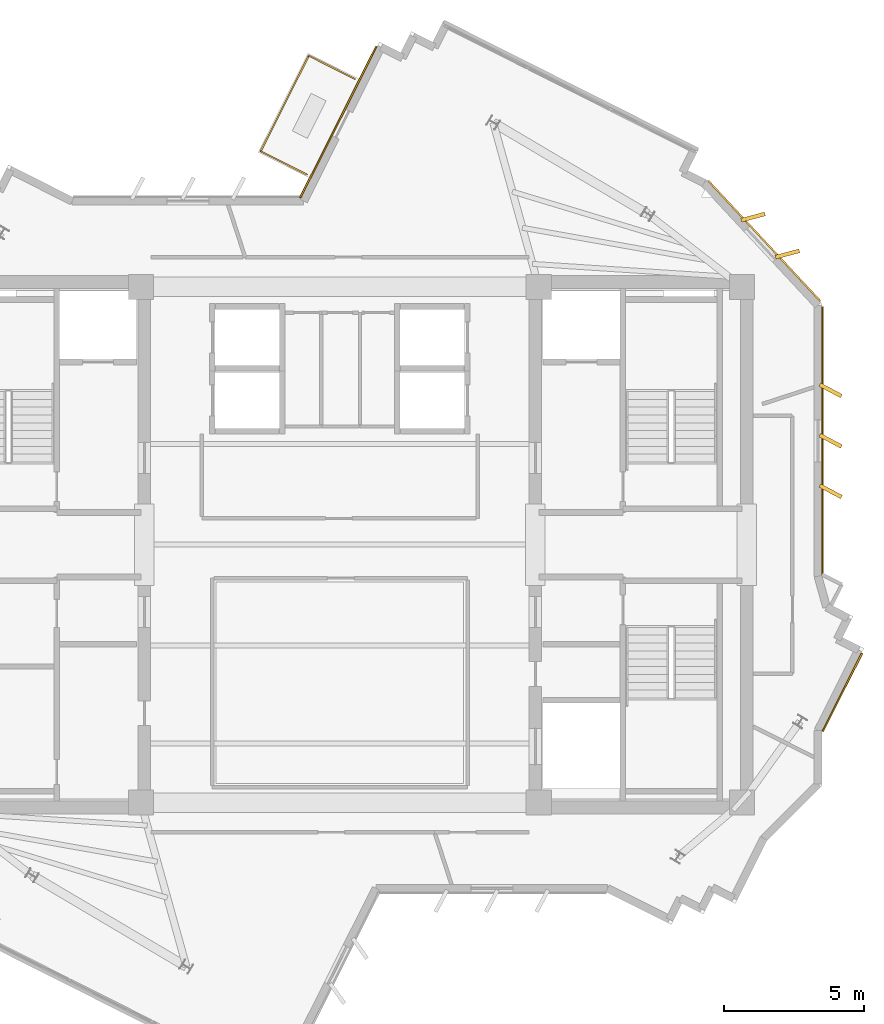
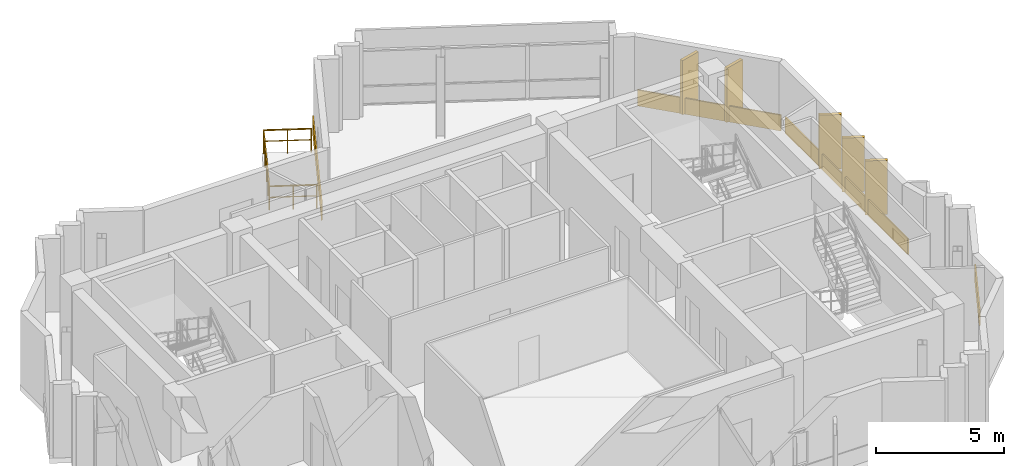
# One storey, part 11 of 11: 9 coverings, 3 railings.
"""IFC4 building model written with IfcOpenShell, lengths in metres."""

from ifc_helpers import new_model, si_unit, direction, frame, origin, origin_2d, place, context, subcontext, project, spatial, rectangle, extrude, source, transform, mapped, material, layer, layer_set, type_object, element, save


model = new_model("IFC4")

# Units and contexts
model_context = context("Model", 3, precision=1e-05, world=origin(), true_north=direction((0.0, 1.0)))
body_context = subcontext(model_context, "Body", "Model", "MODEL_VIEW")
ifc_project = project(units=[si_unit("LENGTHUNIT", "METRE"), si_unit("AREAUNIT", "SQUARE_METRE"), si_unit("VOLUMEUNIT", "CUBIC_METRE"), si_unit("PLANEANGLEUNIT", "RADIAN"), si_unit("MASSUNIT", "GRAM", prefix="KILO")], contexts=[model_context])

# Site, building, storey
site_placement = place(None, origin())
site = spatial("IfcSite", under=ifc_project, at=site_placement, CompositionType="ELEMENT")
building_placement = place(site_placement, origin())
building = spatial("IfcBuilding", under=site, at=building_placement, Name="Zahravan Cultural Tower", CompositionType="ELEMENT")
storey_placement = place(building_placement, frame((0.0, 0.0, 353.550048828125)))
storey = spatial("IfcBuildingStorey", under=building, at=storey_placement, Name="L86", CompositionType="ELEMENT", Elevation=353.550048828125)

# Railings
ifc_material_1 = material(Name="Steel ASTM A572 Grade 50", Category="steel")
railing_type = type_object("IfcRailingType", Name="RL-BAL-1150", PredefinedType="BALUSTRADE", material=ifc_material_1)
railing_1_placement = place(storey_placement, frame((33.17529296875, 41.035888671875, 0.0)))
element("IfcRailing", 1, at=railing_1_placement, inside=storey, type_object=railing_type, Name="L86 Edge Balustrade GRD-TR-L86-NE-01", PredefinedType="BALUSTRADE", context=body_context, shape_type="SweptSolid", body=[
    extrude(rectangle(XDim=0.05, YDim=0.05, at=origin_2d()), frame((0.0, 0.0, 1.125), z_axis=(0.449359723257, 0.893350904804, 0.0), x_axis=(-0.893350904804, 0.449359723257, 0.0)), (0.0, 0.0, 1.0), 3.820068359375),
    extrude(rectangle(XDim=0.032, YDim=0.032, at=origin_2d()), frame((0.0, 0.0, 0.597900390625), z_axis=(0.449359723257, 0.893350904804, 0.0), x_axis=(-0.893350904804, 0.449359723257, 0.0)), (0.0, 0.0, 1.0), 3.820068359375),
    extrude(rectangle(XDim=0.04, YDim=0.04, at=origin_2d()), origin(), (0.0, 0.0, 1.0), 1.14990234375),
    extrude(rectangle(XDim=0.04, YDim=0.04, at=origin_2d()), frame((0.42919921875, 0.85302734375, 0.0)), (0.0, 0.0, 1.0), 1.14990234375),
    extrude(rectangle(XDim=0.04, YDim=0.04, at=origin_2d()), frame((0.8583984375, 1.706298828125, 0.0)), (0.0, 0.0, 1.0), 1.14990234375),
    extrude(rectangle(XDim=0.04, YDim=0.04, at=origin_2d()), frame((1.287353515625, 2.5595703125, 0.0)), (0.0, 0.0, 1.0), 1.14990234375),
    extrude(rectangle(XDim=0.04, YDim=0.04, at=origin_2d()), frame((1.716552734375, 3.41259765625, 0.0)), (0.0, 0.0, 1.0), 1.14990234375),
])
railing_2_placement = place(storey_placement, frame((34.891845703125, 44.448486328125, 0.0)))
element("IfcRailing", 2, at=railing_2_placement, inside=storey, type_object=railing_type, Name="L86 Edge Balustrade GRD-TR-L86-NE-02", PredefinedType="BALUSTRADE", context=body_context, shape_type="SweptSolid", body=[
    extrude(rectangle(XDim=0.05, YDim=0.05, at=origin_2d()), frame((0.0, 0.0, 1.125), z_axis=(0.893342372854, -0.449376684823, 0.0), x_axis=(0.449376684823, 0.893342372854, 0.0)), (0.0, 0.0, 1.0), 1.849853515625),
    extrude(rectangle(XDim=0.032, YDim=0.032, at=origin_2d()), frame((0.0, 0.0, 0.597900390625), z_axis=(0.893342372854, -0.449376684823, 0.0), x_axis=(0.449376684823, 0.893342372854, 0.0)), (0.0, 0.0, 1.0), 1.849853515625),
    extrude(rectangle(XDim=0.04, YDim=0.04, at=origin_2d()), origin(), (0.0, 0.0, 1.0), 1.14990234375),
    extrude(rectangle(XDim=0.04, YDim=0.04, at=origin_2d()), frame((0.826171875, -0.41552734375, 0.0)), (0.0, 0.0, 1.0), 1.14990234375),
    extrude(rectangle(XDim=0.04, YDim=0.04, at=origin_2d()), frame((1.652587890625, -0.831298828125, 0.0)), (0.0, 0.0, 1.0), 1.14990234375),
])
railing_3_placement = place(storey_placement, frame((34.828125, 40.20458984375, 0.0)))
element("IfcRailing", 3, at=railing_3_placement, inside=storey, type_object=railing_type, Name="L86 Edge Balustrade GRD-TR-L86-NE-03", PredefinedType="BALUSTRADE", context=body_context, shape_type="SweptSolid", body=[
    extrude(rectangle(XDim=0.05, YDim=0.05, at=origin_2d()), frame((0.0, 0.0, 1.125), z_axis=(-0.893369019202, 0.449323709067, 0.0), x_axis=(-0.449323709067, -0.893369019202, 0.0)), (0.0, 0.0, 1.0), 1.85009765625),
    extrude(rectangle(XDim=0.032, YDim=0.032, at=origin_2d()), frame((0.0, 0.0, 0.597900390625), z_axis=(-0.893369019202, 0.449323709067, 0.0), x_axis=(-0.449323709067, -0.893369019202, 0.0)), (0.0, 0.0, 1.0), 1.85009765625),
    extrude(rectangle(XDim=0.04, YDim=0.04, at=origin_2d()), origin(), (0.0, 0.0, 1.0), 1.14990234375),
    extrude(rectangle(XDim=0.04, YDim=0.04, at=origin_2d()), frame((-0.826416015625, 0.41552734375, 0.0)), (0.0, 0.0, 1.0), 1.14990234375),
    extrude(rectangle(XDim=0.04, YDim=0.04, at=origin_2d()), frame((-1.65283203125, 0.831298828125, 0.0)), (0.0, 0.0, 1.0), 1.14990234375),
])

# Coverings
ifc_material_2 = material(Name="Terracotta ceramic cladding", Category="masonry")
ifc_layer = layer(ifc_material_2, 0.06005859375)
ifc_layer_set = layer_set([ifc_layer], Name="Terracotta ceramic cladding")
covering_type = type_object("IfcCoveringType", Name="COV-CLAD-TC60", PredefinedType="CLADDING", material=ifc_layer_set)
shared_shape_1 = source(origin(), body_context, "Body", "SweptSolid", [
    extrude(rectangle(XDim=0.8798828125, YDim=0.139892578125, at=origin_2d()), origin(), (0.0, 0.0, 1.0), 2.580078125),
])
for number, where, z_axis, x_axis, name in (
    (4, (50.743408203125, 38.68994140625, 0.0498046875), (0.0, 0.0, 1.0), (0.966110785991, 0.25812777687, 0.0), "L86 Herringbone Terracotta Fin 01"),
    (5, (51.97021484375, 37.372802734375, 0.0498046875), (0.0, 0.0, 1.0), (0.966110785991, 0.25812777687, 0.0), "L86 Herringbone Terracotta Fin 02"),
    (6, (53.510009765625, 32.50830078125, 0.0498046875), (0.0, 0.0, 1.0), (0.882947592859, -0.469471562786, 0.0), "L86 Herringbone Terracotta Fin 03"),
    (7, (53.510009765625, 30.708251953125, 0.0498046875), (0.0, 0.0, 1.0), (0.882947592859, -0.469471562786, 0.0), "L86 Herringbone Terracotta Fin 04"),
    (8, (53.510009765625, 28.908203125, 0.0498046875), (0.0, 0.0, 1.0), (0.882947592859, -0.469471562786, 0.0), "L86 Herringbone Terracotta Fin 05"),
):
    element("IfcCovering", number, at=place(storey_placement, frame(where, z_axis=z_axis, x_axis=x_axis)), inside=storey, type_object=covering_type, Name=name, PredefinedType="CLADDING", context=body_context, shape_type="MappedRepresentation", body=[
        mapped(shared_shape_1, transform((0.0, 0.0, 0.0), x_axis=(1.0, 0.0, 0.0), y_axis=(0.0, 1.0, 0.0), z_axis=(0.0, 0.0, 1.0), scale=1.0)),
    ])
shared_shape_2 = source(origin(), body_context, "Body", "SweptSolid", [
    extrude(rectangle(XDim=6.04638671875, YDim=0.06005859375, at=origin_2d()), origin(), (0.0, 0.0, 1.0), 0.760009765625),
])
covering_1_placement = place(storey_placement, frame((35.944580078125, 42.07958984375, 0.02001953125), z_axis=(0.0, 0.0, 1.0), x_axis=(0.44933459082, 0.893363546096, 0.0)))
element("IfcCovering", 9, at=covering_1_placement, inside=storey, type_object=covering_type, Name="L86 Terracotta Spandrel Cladding 01", PredefinedType="CLADDING", context=body_context, shape_type="MappedRepresentation", body=[
    mapped(shared_shape_2, transform((0.0, 0.0, 0.0), x_axis=(1.0, 0.0, 0.0), y_axis=(0.0, 1.0, 0.0), z_axis=(0.0, 0.0, 1.0), scale=1.0)),
])
shared_shape_3 = source(origin(), body_context, "Body", "SweptSolid", [
    extrude(rectangle(XDim=5.86474609375, YDim=0.06005859375, at=origin_2d()), origin(), (0.0, 0.0, 1.0), 0.760009765625),
])
covering_2_placement = place(storey_placement, frame((51.148193359375, 37.837158203125, 0.02001953125), z_axis=(0.0, 0.0, 1.0), x_axis=(0.681474839761, -0.73184154212, 0.0)))
element("IfcCovering", 10, at=covering_2_placement, inside=storey, type_object=covering_type, Name="L86 Terracotta Spandrel Cladding 08", PredefinedType="CLADDING", context=body_context, shape_type="MappedRepresentation", body=[
    mapped(shared_shape_3, transform((0.0, 0.0, 0.0), x_axis=(1.0, 0.0, 0.0), y_axis=(0.0, 1.0, 0.0), z_axis=(0.0, 0.0, 1.0), scale=1.0)),
])
shared_shape_4 = source(origin(), body_context, "Body", "SweptSolid", [
    extrude(rectangle(XDim=9.5673828125, YDim=0.06005859375, at=origin_2d()), origin(), (0.0, 0.0, 1.0), 0.760009765625),
])
covering_3_placement = place(storey_placement, frame((53.22509765625, 30.708251953125, 0.02001953125), z_axis=(0.0, 0.0, 1.0), x_axis=(0.0, -1.0, 0.0)))
element("IfcCovering", 11, at=covering_3_placement, inside=storey, type_object=covering_type, Name="L86 Terracotta Spandrel Cladding 09", PredefinedType="CLADDING", context=body_context, shape_type="MappedRepresentation", body=[
    mapped(shared_shape_4, transform((0.0, 0.0, 0.0), x_axis=(1.0, 0.0, 0.0), y_axis=(0.0, 1.0, 0.0), z_axis=(0.0, 0.0, 1.0), scale=1.0)),
])
shared_shape_5 = source(origin(), body_context, "Body", "SweptSolid", [
    extrude(rectangle(XDim=3.117919921875, YDim=0.06005859375, at=origin_2d()), origin(), (0.0, 0.0, 1.0), 0.760009765625),
])
covering_4_placement = place(storey_placement, frame((53.930419921875, 21.73291015625, 0.02001953125), z_axis=(0.0, 0.0, 1.0), x_axis=(-0.449318998616, -0.893371388328, 0.0)))
element("IfcCovering", 12, at=covering_4_placement, inside=storey, type_object=covering_type, Name="L86 Terracotta Spandrel Cladding 14", PredefinedType="CLADDING", context=body_context, shape_type="MappedRepresentation", body=[
    mapped(shared_shape_5, transform((0.0, 0.0, 0.0), x_axis=(1.0, 0.0, 0.0), y_axis=(0.0, 1.0, 0.0), z_axis=(0.0, 0.0, 1.0), scale=1.0)),
])

save(model, "model.ifc")
